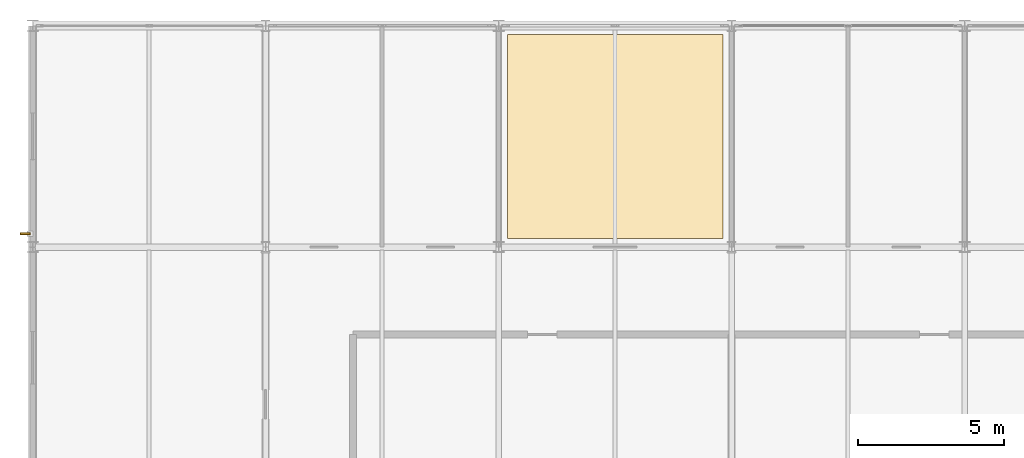
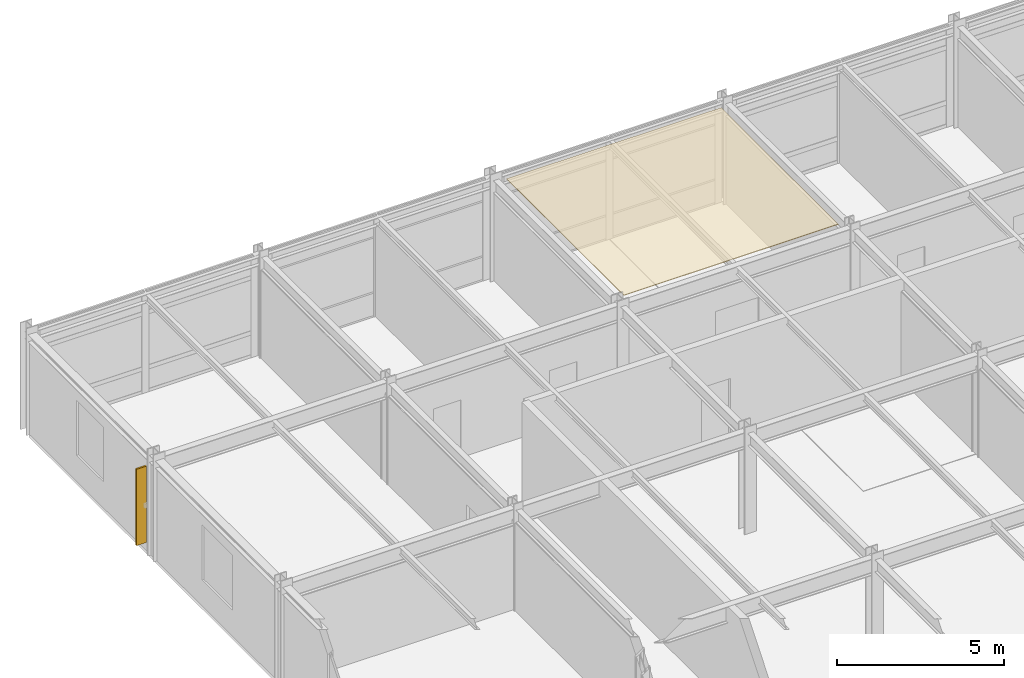
# One storey, part 17 of 18: 1 covering, 1 shading device.
"""IFC4 building model written with IfcOpenShell, lengths in metres."""

from ifc_helpers import new_model, si_unit, direction, frame, origin, origin_2d, place, context, subcontext, project, spatial, polyline, rectangle, outline, extrude, material, layer, layer_set, type_object, element, save


model = new_model("IFC4")

# Units and contexts
model_context = context("Model", 3, precision=1e-05, world=origin(), true_north=direction((0.0, 1.0)))
body_context = subcontext(model_context, "Body", "Model", "MODEL_VIEW")
ifc_project = project(units=[si_unit("LENGTHUNIT", "METRE"), si_unit("AREAUNIT", "SQUARE_METRE"), si_unit("VOLUMEUNIT", "CUBIC_METRE"), si_unit("PLANEANGLEUNIT", "RADIAN"), si_unit("MASSUNIT", "GRAM", prefix="KILO")], contexts=[model_context])

# Site, building, storey
site_placement = place(None, origin())
site = spatial("IfcSite", under=ifc_project, at=site_placement, CompositionType="ELEMENT")
building_placement = place(site_placement, origin())
building = spatial("IfcBuilding", under=site, at=building_placement, Name="Shalkamar Park Central Library", CompositionType="ELEMENT")
storey_placement = place(building_placement, frame((0.0, 0.0, 24.300048828125)))
storey = spatial("IfcBuildingStorey", under=building, at=storey_placement, Name="L06", CompositionType="ELEMENT", Elevation=24.300048828125)

# Covering
ifc_material_1 = material(Name="Acoustic mineral fibre ceiling panel", Category="other")
ifc_layer_1 = layer(ifc_material_1, 0.02490234375)
ifc_layer_set_1 = layer_set([ifc_layer_1], Name="AcousticMineralCeilingTile")
covering_type = type_object("IfcCoveringType", Name="Acoustic Mineral Ceiling Tile", PredefinedType="CEILING", material=ifc_layer_set_1)
covering_placement = place(storey_placement, frame((0.0, 0.0, 3.635009765625)))
element("IfcCovering", 1, at=covering_placement, inside=storey, type_object=covering_type, Name="Acoustic Reading Ceiling Panel L06", PredefinedType="CEILING", context=body_context, shape_type="SweptSolid", body=[
    extrude(outline(polyline([(181.300048828125, 285.89990234375), (188.699951171875, 285.89990234375), (188.699951171875, 292.89990234375), (181.300048828125, 292.89990234375), (181.300048828125, 285.89990234375)])), origin(), (0.0, 0.0, 1.0), 0.02490234375),
])

# Shading device
ifc_material_2 = material(Name="Anodized bronze aluminium solar fin", Category="aluminium")
ifc_layer_2 = layer(ifc_material_2, 0.06005859375)
ifc_layer_set_2 = layer_set([ifc_layer_2], Name="BronzeSolarLouvreBlade")
shading_device_type = type_object("IfcShadingDeviceType", Name="Bronze Solar Louvre Blade", PredefinedType="SHUTTER", material=ifc_layer_set_2)
shading_device_placement = place(storey_placement, frame((164.739990234375, 286.055908203125, 0.2998046875), z_axis=(0.0, 0.0, 1.0), x_axis=(1.0, 0.0, 0.0)))
element("IfcShadingDevice", 2, at=shading_device_placement, inside=storey, type_object=shading_device_type, Name="Vertical Solar Fin L06-009", PredefinedType="SHUTTER", context=body_context, shape_type="SweptSolid", body=[
    extrude(rectangle(XDim=0.35009765625, YDim=0.06005859375, at=origin_2d()), origin(), (0.0, 0.0, 1.0), 2.7880859375),
])

save(model, "model.ifc")
